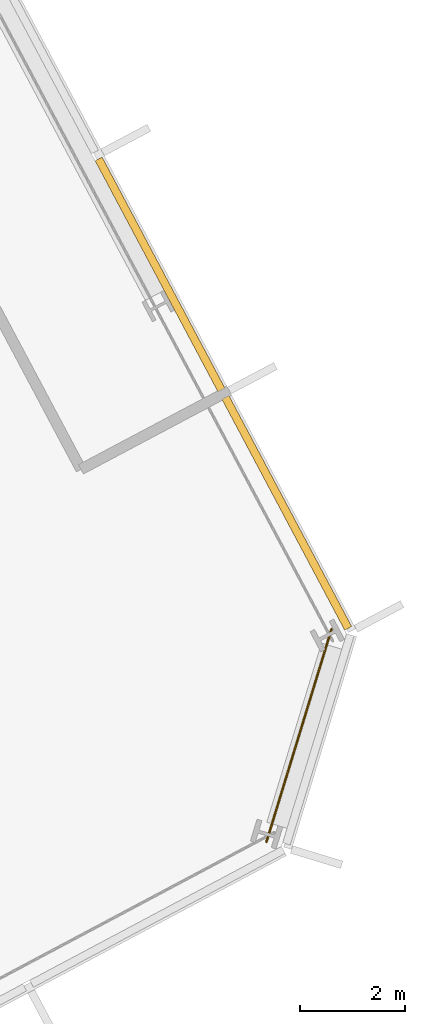
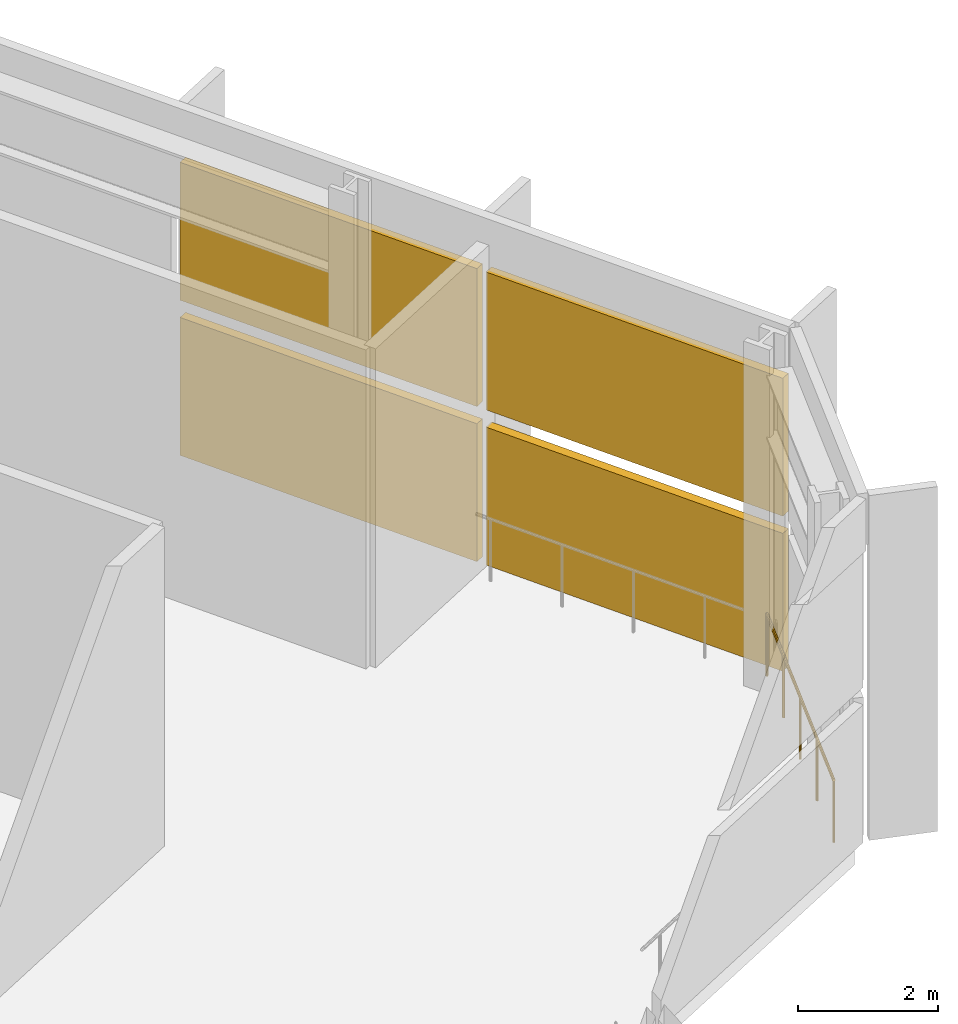
# One storey, part 33 of 33: 4 shading devices, 1 railing, 1 element without a shape of its own.
"""IFC4 building model written with IfcOpenShell, lengths in metres."""

from ifc_helpers import new_model, si_unit, direction, frame, origin, origin_2d, place, context, subcontext, project, spatial, polyline, rectangle, outline, extrude, material, layer, layer_set, type_object, element, aggregate, save


model = new_model("IFC4")

# Units and contexts
model_context = context("Model", 3, precision=1e-05, world=origin(), true_north=direction((0.0, 1.0)))
body_context = subcontext(model_context, "Body", "Model", "MODEL_VIEW")
ifc_project = project(units=[si_unit("LENGTHUNIT", "METRE"), si_unit("AREAUNIT", "SQUARE_METRE"), si_unit("VOLUMEUNIT", "CUBIC_METRE"), si_unit("PLANEANGLEUNIT", "RADIAN"), si_unit("MASSUNIT", "GRAM", prefix="KILO")], contexts=[model_context])

# Site, building, storey
site_placement = place(None, origin())
site = spatial("IfcSite", under=ifc_project, at=site_placement, CompositionType="ELEMENT")
building_placement = place(site_placement, origin())
building = spatial("IfcBuilding", under=site, at=building_placement, Name="Cormorant Relay Tower", CompositionType="ELEMENT")
storey_placement = place(building_placement, frame((0.0, 0.0, 112.199951171875)))
storey = spatial("IfcBuildingStorey", under=building, at=storey_placement, Name="L22", CompositionType="ELEMENT", Elevation=112.199951171875)

# Railing
ifc_material_1 = material(Name="Stainless steel 316 guard", Category="steel")
railing_type = type_object("IfcRailingType", Name="Band louvre guard 1100", PredefinedType="GUARDRAIL", material=ifc_material_1)
railing_placement = place(storey_placement, frame((70.495361328125, 13.939208984375, 0.0)))
element("IfcRailing", 1, at=railing_placement, inside=storey, type_object=railing_type, Name="CW4 guard 3", PredefinedType="GUARDRAIL", context=body_context, shape_type="SweptSolid", body=[
    extrude(outline(polyline([(0.022216796875, 0.00927734375), (0.00927734375, 0.022216796875), (-0.00927734375, 0.022216796875), (-0.022216796875, 0.00927734375), (-0.022216796875, -0.00927734375), (-0.00927734375, -0.022216796875), (0.00927734375, -0.022216796875), (0.022216796875, -0.00927734375), (0.022216796875, 0.00927734375)])), frame((0.0, 0.0, 1.076171875), z_axis=(0.292374957137, 0.956303761594, 0.0), x_axis=(-0.956303761594, 0.292374957137, 0.0)), (0.0, 0.0, 1.0), 4.24267578125),
    extrude(outline(polyline([(0.019287109375, 0.008056640625), (0.008056640625, 0.019287109375), (-0.008056640625, 0.019287109375), (-0.019287109375, 0.008056640625), (-0.019287109375, -0.008056640625), (-0.008056640625, -0.019287109375), (0.008056640625, -0.019287109375), (0.019287109375, -0.008056640625), (0.019287109375, 0.008056640625)])), origin(), (0.0, 0.0, 1.0), 1.052001953125),
    extrude(outline(polyline([(0.019287109375, 0.008056640625), (0.008056640625, 0.019287109375), (-0.008056640625, 0.019287109375), (-0.019287109375, 0.008056640625), (-0.019287109375, -0.008056640625), (-0.008056640625, -0.019287109375), (0.008056640625, -0.019287109375), (0.019287109375, -0.008056640625), (0.019287109375, 0.008056640625)])), frame((0.31005859375, 1.014404296875, 0.0)), (0.0, 0.0, 1.0), 1.052001953125),
    extrude(outline(polyline([(0.019287109375, 0.008056640625), (0.008056640625, 0.019287109375), (-0.008056640625, 0.019287109375), (-0.019287109375, 0.008056640625), (-0.019287109375, -0.008056640625), (-0.008056640625, -0.019287109375), (0.008056640625, -0.019287109375), (0.019287109375, -0.008056640625), (0.019287109375, 0.008056640625)])), frame((0.6201171875, 2.02880859375, 0.0)), (0.0, 0.0, 1.0), 1.052001953125),
    extrude(outline(polyline([(0.019287109375, 0.008056640625), (0.008056640625, 0.019287109375), (-0.008056640625, 0.019287109375), (-0.019287109375, 0.008056640625), (-0.019287109375, -0.008056640625), (-0.008056640625, -0.019287109375), (0.008056640625, -0.019287109375), (0.019287109375, -0.008056640625), (0.019287109375, 0.008056640625)])), frame((0.930419921875, 3.04296875, 0.0)), (0.0, 0.0, 1.0), 1.052001953125),
    extrude(outline(polyline([(0.019287109375, 0.008056640625), (0.008056640625, 0.019287109375), (-0.008056640625, 0.019287109375), (-0.019287109375, 0.008056640625), (-0.019287109375, -0.008056640625), (-0.008056640625, -0.019287109375), (0.008056640625, -0.019287109375), (0.019287109375, -0.008056640625), (0.019287109375, 0.008056640625)])), frame((1.240478515625, 4.057373046875, 0.0)), (0.0, 0.0, 1.0), 1.052001953125),
])

# Curtain wall, shading devices
ifc_material_2 = material(Name="Aluminium 6063-T6 anodised bronze", Category="aluminium")
ifc_layer = layer(ifc_material_2, 0.199951171875)
ifc_layer_set = layer_set([ifc_layer], Name="CW4 band louvre wall")
curtain_wall_type = type_object("IfcCurtainWallType", Name="CW4 band louvre wall", PredefinedType="NOTDEFINED", material=ifc_layer_set)
curtain_wall_placement = place(storey_placement, origin())
curtain_wall = element("IfcCurtainWall", 2, at=curtain_wall_placement, inside=storey, type_object=curtain_wall_type, Name="CW4 curtain wall 4", PredefinedType="NOTDEFINED")
ifc_material_3 = material(Name="Aluminium 6063-T6 anodised bronze louvre", Category="aluminium")
shading_device_type = type_object("IfcShadingDeviceType", Name="CW4 bronze louvre bank 150 x 2400", PredefinedType="USERDEFINED", material=ifc_material_3)
shading_device_1_placement = place(storey_placement, frame((70.881591796875, 20.214599609375, 2.7001953125), z_axis=(0.0, 0.0, 1.0), x_axis=(-0.469471562786, 0.882947592859, 0.0)))
shading_device_1 = element("IfcShadingDevice", 3, at=shading_device_1_placement, type_object=shading_device_type, Name="CW4 louvre bank U4.1", ObjectType="LOUVRE", PredefinedType="USERDEFINED", context=body_context, shape_type="SweptSolid", body=[
    extrude(rectangle(XDim=4.992919921875, YDim=0.14990234375, at=origin_2d()), origin(), (0.0, 0.0, 1.0), 2.39990234375),
])
shading_device_2_placement = place(storey_placement, frame((70.881591796875, 20.214599609375, 0.0), z_axis=(0.0, 0.0, 1.0), x_axis=(-0.469471562786, 0.882947592859, 0.0)))
shading_device_2 = element("IfcShadingDevice", 4, at=shading_device_2_placement, type_object=shading_device_type, Name="CW4 louvre bank D4.1", ObjectType="LOUVRE", PredefinedType="USERDEFINED", context=body_context, shape_type="SweptSolid", body=[
    extrude(rectangle(XDim=4.992919921875, YDim=0.14990234375, at=origin_2d()), origin(), (0.0, 0.0, 1.0), 2.39990234375),
])
shading_device_3_placement = place(storey_placement, frame((68.46728515625, 24.75537109375, 2.7001953125), z_axis=(0.0, 0.0, 1.0), x_axis=(-0.469471562786, 0.882947592859, 0.0)))
shading_device_3 = element("IfcShadingDevice", 5, at=shading_device_3_placement, type_object=shading_device_type, Name="CW4 louvre bank U4.2", ObjectType="LOUVRE", PredefinedType="USERDEFINED", context=body_context, shape_type="SweptSolid", body=[
    extrude(rectangle(XDim=4.992919921875, YDim=0.14990234375, at=origin_2d()), origin(), (0.0, 0.0, 1.0), 2.39990234375),
])
shading_device_4_placement = place(storey_placement, frame((68.46728515625, 24.75537109375, 0.0), z_axis=(0.0, 0.0, 1.0), x_axis=(-0.469471562786, 0.882947592859, 0.0)))
shading_device_4 = element("IfcShadingDevice", 6, at=shading_device_4_placement, type_object=shading_device_type, Name="CW4 louvre bank D4.2", ObjectType="LOUVRE", PredefinedType="USERDEFINED", context=body_context, shape_type="SweptSolid", body=[
    extrude(rectangle(XDim=4.992919921875, YDim=0.14990234375, at=origin_2d()), origin(), (0.0, 0.0, 1.0), 2.39990234375),
])
aggregate(curtain_wall, [shading_device_1, shading_device_2, shading_device_3, shading_device_4])

save(model, "model.ifc")
